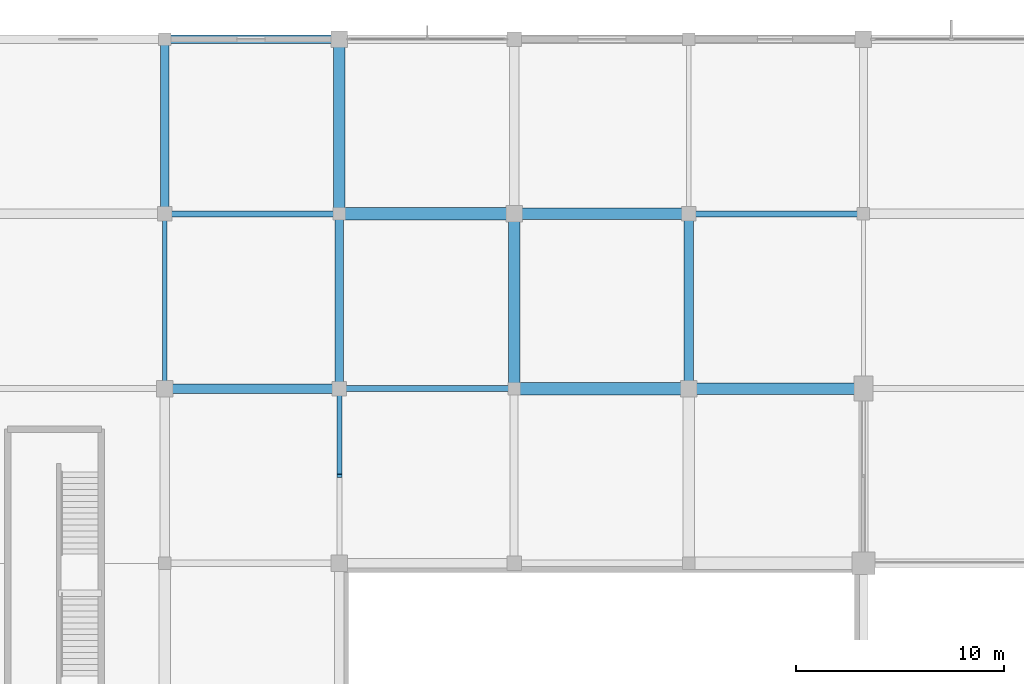
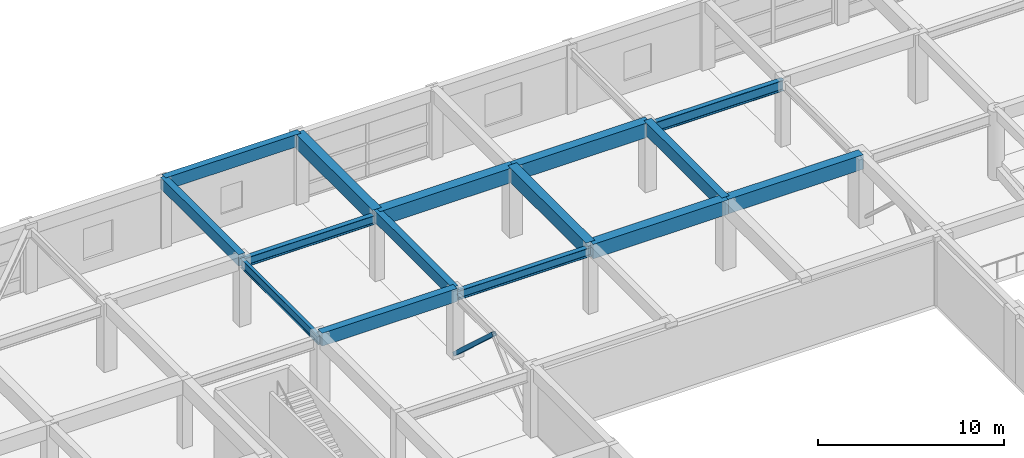
# One storey, part 28 of 62: 15 beams, 1 member.
"""IFC4 building model written with IfcOpenShell, lengths in metres."""

import ifcopenshell
import ifcopenshell.guid

model = None  # the IFC model being written
_history = None  # IfcOwnerHistory: only IFC2X3 demands one
_inside = {}  # id of a spatial element -> (the spatial element, [elements in it])
_under = {}  # id of a project, library or spatial element -> (it, [spatial elements below it])
_declared = {}  # id of a project -> (the project, [libraries it declares])
_typed = {}  # id of a type object -> (the type object, [elements of that type])
_made_of = {}  # id of a material, layer set ... -> (it, [elements and type objects made of it])


def new_model(schema):
    """Start an empty IFC model of exactly this schema.

    Asked for "IFC4X3", IfcOpenShell would pick the latest addendum, in which some entities
    have other attributes; the version numbers below select the first issue.
    IFC2X3 requires an IfcOwnerHistory on every rooted entity: one is made here for all.
    """
    global model, _history
    if schema == "IFC4X3":
        model = ifcopenshell.file(schema_version=(4, 3, 0, 0))
    else:
        model = ifcopenshell.file(schema=schema)
    _inside.clear()
    _under.clear()
    _declared.clear()
    _typed.clear()
    _made_of.clear()
    _history = None
    if model.schema == "IFC2X3":
        org = make("IfcOrganization", Name="unknown")
        user = make(
            "IfcPersonAndOrganization",
            ThePerson=make("IfcPerson", FamilyName="unknown"),
            TheOrganization=org,
        )
        app = make(
            "IfcApplication",
            ApplicationDeveloper=org,
            Version="unknown",
            ApplicationFullName="unknown",
            ApplicationIdentifier="unknown",
        )
        _history = make(
            "IfcOwnerHistory",
            OwningUser=user,
            OwningApplication=app,
            ChangeAction="ADDED",
            CreationDate=0,
        )
    return model


def make(cls, **values):
    """One entity of the class cls with the attributes given. An attribute that is None is left unset."""
    return model.create_entity(
        cls, **{name: value for name, value in values.items() if value is not None}
    )


def rooted(cls, **values):
    """An entity with a GlobalId (a new one), such as an element, a storey or a relation."""
    return make(cls, GlobalId=ifcopenshell.guid.new(), OwnerHistory=_history, **values)


def si_unit(unit_type, name, prefix=None):
    """IfcSIUnit, for example si_unit("LENGTHUNIT", "METRE", prefix="MILLI")."""
    return make("IfcSIUnit", UnitType=unit_type, Prefix=prefix, Name=name)


def assignment(units):
    """IfcUnitAssignment: the units of a project."""
    return None if units is None else make("IfcUnitAssignment", Units=units)


def point(xyz):
    """IfcCartesianPoint."""
    return None if xyz is None else make("IfcCartesianPoint", Coordinates=xyz)


def direction(xyz):
    """IfcDirection."""
    return None if xyz is None else make("IfcDirection", DirectionRatios=xyz)


def frame(location, z_axis=None, x_axis=None):
    """IfcAxis2Placement3D, a coordinate frame: its origin and axes. An axis left out is left unset."""
    return make(
        "IfcAxis2Placement3D",
        Location=point(location),
        Axis=direction(z_axis),
        RefDirection=direction(x_axis),
    )


def frame_2d(location, x_axis=None):
    """IfcAxis2Placement2D, a coordinate frame in the plane: its origin and x axis."""
    return make(
        "IfcAxis2Placement2D", Location=point(location), RefDirection=direction(x_axis)
    )


def origin():
    """The frame at (0, 0, 0) with its axes left unset."""
    return frame((0.0, 0.0, 0.0))


def origin_2d():
    """The frame at (0, 0) in the plane with its x axis left unset."""
    return frame_2d((0.0, 0.0))


def place(relative_to, where):
    """IfcLocalPlacement: puts the frame where relative to a parent placement (None: the world)."""
    return make(
        "IfcLocalPlacement", PlacementRelTo=relative_to, RelativePlacement=where
    )


def context(
    kind, dimensions, precision=None, world=None, true_north=None, identifier=None
):
    """IfcGeometricRepresentationContext, for example the 3D "Model" context."""
    return make(
        "IfcGeometricRepresentationContext",
        ContextIdentifier=identifier,
        ContextType=kind,
        CoordinateSpaceDimension=dimensions,
        Precision=precision,
        WorldCoordinateSystem=world,
        TrueNorth=true_north,
    )


def subcontext(parent, identifier, kind, view, scale=None):
    """IfcGeometricRepresentationSubContext, for example "Body" below "Model"."""
    return make(
        "IfcGeometricRepresentationSubContext",
        ContextIdentifier=identifier,
        ContextType=kind,
        ParentContext=parent,
        TargetScale=scale,
        TargetView=view,
    )


def project(units=None, contexts=None):
    """IfcProject with its units and contexts."""
    return rooted(
        "IfcProject",
        Name="project",
        RepresentationContexts=contexts,
        UnitsInContext=assignment(units),
    )


def spatial(cls, under=None, at=None, **own):
    """A site, building, storey or space (cls), placed at a placement, below another one or the project."""
    s = rooted(cls, ObjectPlacement=at, **own)
    if under is not None:
        _under.setdefault(under.id(), (under, []))[1].append(s)
    return s


def profile(cls, at=None, kind="AREA", **sizes):
    """A parametric profile (cls). Its sizes go by their IFC names, for example OverallWidth=200.0."""
    return make(cls, ProfileType=kind, Position=at, **sizes)


def rectangle(**sizes):
    """IfcRectangleProfileDef."""
    return profile("IfcRectangleProfileDef", **sizes)


def hollow_rectangle(**sizes):
    """IfcRectangleHollowProfileDef."""
    return profile("IfcRectangleHollowProfileDef", **sizes)


def i_section(**sizes):
    """IfcIShapeProfileDef."""
    return profile("IfcIShapeProfileDef", **sizes)


def extrude(swept, where, along, depth):
    """IfcExtrudedAreaSolid: the profile swept, set in the frame where, extruded along a direction by depth."""
    return make(
        "IfcExtrudedAreaSolid",
        SweptArea=swept,
        Position=where,
        ExtrudedDirection=direction(along),
        Depth=depth,
    )


def shape(context_of_items, identifier, shape_type, items):
    """IfcShapeRepresentation: the items that make up one representation, for example the "Body"."""
    return make(
        "IfcShapeRepresentation",
        ContextOfItems=context_of_items,
        RepresentationIdentifier=identifier,
        RepresentationType=shape_type,
        Items=items,
    )


def material(Name=None, Category=None):
    """IfcMaterial."""
    return make("IfcMaterial", Name=Name, Category=Category)


def material_profile(
    of_material, cross_section, Name=None, Category=None, Priority=None
):
    """IfcMaterialProfile: a cross section and its material."""
    return make(
        "IfcMaterialProfile",
        Name=Name,
        Material=of_material,
        Profile=cross_section,
        Priority=Priority,
        Category=Category,
    )


def profile_set(profiles, Name=None, composite=None):
    """IfcMaterialProfileSet."""
    return make(
        "IfcMaterialProfileSet",
        Name=Name,
        MaterialProfiles=profiles,
        CompositeProfile=composite,
    )


def made_of(thing, what):
    """Note that an element or type object is made of a material, layer set ...; save() writes the relation."""
    if what is not None:
        _made_of.setdefault(what.id(), (what, []))[1].append(thing)
    return thing


def type_object(cls, material=None, **own):
    """A type object (cls), such as IfcWallType, which elements share."""
    return made_of(rooted(cls, **own), material)


def element(
    cls,
    number,
    at=None,
    inside=None,
    cuts=None,
    type_object=None,
    material=None,
    context=None,
    identifier="Body",
    shape_type=None,
    held_by="IfcProductDefinitionShape",
    body=None,
    shapes=None,
    **own,
):
    """One element of the class cls, such as IfcWall. Its Tag is "e" and its number.

    at: its placement. inside: the storey or other place that contains it. cuts: it is an
    opening in that element (IfcRelVoidsElement). A single representation is given by context,
    identifier, shape_type and body (its items); several are given by shapes. held_by: the class
    of the entity that holds the representations. save() writes the other relations.
    """
    e = rooted(cls, Tag="e%d" % number, ObjectPlacement=at, **own)
    if body is not None:
        shapes = [shape(context, identifier, shape_type, body)]
    if shapes is not None:
        e.Representation = make(held_by, Representations=shapes)
    if inside is not None:
        _inside.setdefault(inside.id(), (inside, []))[1].append(e)
    if cuts is not None:
        rooted(
            "IfcRelVoidsElement", RelatingBuildingElement=cuts, RelatedOpeningElement=e
        )
    if type_object is not None:
        _typed.setdefault(type_object.id(), (type_object, []))[1].append(e)
    return made_of(e, material)


def aggregate(whole, parts):
    """IfcRelAggregates: a whole, such as a stair, and the parts it consists of."""
    return rooted("IfcRelAggregates", RelatingObject=whole, RelatedObjects=parts)


def save(model, path):
    """Write the relations noted so far, then the file.

    IfcRelAggregates (storeys below a building ...), IfcRelContainedInSpatialStructure (elements
    in a storey), IfcRelDefinesByType, IfcRelAssociatesMaterial and IfcRelDeclares: one each for
    every whole, place, type object, material and project.
    """
    for whole, parts in _under.values():
        aggregate(whole, parts)
    for where, things in _inside.values():
        rooted(
            "IfcRelContainedInSpatialStructure",
            RelatedElements=things,
            RelatingStructure=where,
        )
    for kind, things in _typed.values():
        rooted("IfcRelDefinesByType", RelatedObjects=things, RelatingType=kind)
    for what, things in _made_of.values():
        rooted("IfcRelAssociatesMaterial", RelatedObjects=things, RelatingMaterial=what)
    for by, libraries in _declared.values():
        rooted("IfcRelDeclares", RelatingContext=by, RelatedDefinitions=libraries)
    model.write(path)


model = new_model("IFC4")

# Units and contexts
model_context = context("Model", 3, precision=1e-05, world=origin(), true_north=direction((0.0, 1.0)))
body_context = subcontext(model_context, "Body", "Model", "MODEL_VIEW")
ifc_project = project(units=[si_unit("LENGTHUNIT", "METRE"), si_unit("AREAUNIT", "SQUARE_METRE"), si_unit("VOLUMEUNIT", "CUBIC_METRE"), si_unit("PLANEANGLEUNIT", "RADIAN"), si_unit("MASSUNIT", "GRAM", prefix="KILO")], contexts=[model_context])

# Site, building, storey
site_placement = place(None, origin())
site = spatial("IfcSite", under=ifc_project, at=site_placement, CompositionType="ELEMENT")
building_placement = place(site_placement, origin())
building = spatial("IfcBuilding", under=site, at=building_placement, Name="Xuanlan Plaza Opera House", CompositionType="ELEMENT")
storey_placement = place(building_placement, frame((0.0, 0.0, 14.39990234375)))
storey = spatial("IfcBuildingStorey", under=building, at=storey_placement, Name="L03", CompositionType="ELEMENT", Elevation=14.39990234375)

# Beams
ifc_material_1 = material(Name="Concrete C50", Category="concrete")
ifc_material_profile_1 = material_profile(ifc_material_1, rectangle(XDim=0.60009765625, YDim=0.949951171875, at=origin_2d()), Name="RC-BM 600x950")
ifc_profile_set_1 = profile_set([ifc_material_profile_1], Name="Concrete C50")
beam_type_1 = type_object("IfcBeamType", Name="STR-BM-B-01", PredefinedType="BEAM", material=ifc_profile_set_1)
beam_1_placement = place(storey_placement, frame((50.39990234375, 84.0, 4.025146484375), z_axis=(1.0, 0.0, 0.0), x_axis=(0.0, 1.0, 0.0)))
element("IfcBeam", 1, at=beam_1_placement, inside=storey, type_object=beam_type_1, Name="Grid Beam X L03 7-8/K", PredefinedType="BEAM", context=body_context, shape_type="SweptSolid", body=[
    extrude(rectangle(XDim=0.60009765625, YDim=0.949951171875, at=origin_2d()), origin(), (0.0, 0.0, 1.0), 8.400146484375),
])
beam_2_placement = place(storey_placement, frame((42.0, 92.39990234375, 4.025146484375), z_axis=(1.0, 0.0, 0.0), x_axis=(0.0, 1.0, 0.0)))
element("IfcBeam", 2, at=beam_2_placement, inside=storey, type_object=beam_type_1, Name="Grid Beam X L03 6-7/L", PredefinedType="BEAM", context=body_context, shape_type="SweptSolid", body=[
    extrude(rectangle(XDim=0.60009765625, YDim=0.949951171875, at=origin_2d()), origin(), (0.0, 0.0, 1.0), 8.39990234375),
])
ifc_material_profile_2 = material_profile(ifc_material_1, rectangle(XDim=0.550048828125, YDim=0.949951171875, at=origin_2d()), Name="RC-BM 550x950")
ifc_profile_set_2 = profile_set([ifc_material_profile_2], Name="Concrete C50")
beam_type_2 = type_object("IfcBeamType", Name="STR-BM-B-02", PredefinedType="BEAM", material=ifc_profile_set_2)
beam_3_placement = place(storey_placement, frame((58.800048828125, 84.0, 4.025146484375), z_axis=(1.0, 0.0, 0.0), x_axis=(0.0, 1.0, 0.0)))
element("IfcBeam", 3, at=beam_3_placement, inside=storey, type_object=beam_type_2, Name="Grid Beam X L03 8-9/K", PredefinedType="BEAM", context=body_context, shape_type="SweptSolid", body=[
    extrude(rectangle(XDim=0.550048828125, YDim=0.949951171875, at=origin_2d()), origin(), (0.0, 0.0, 1.0), 8.39990234375),
])
for number, where, z_axis, x_axis, name in (
    (4, (50.39990234375, 92.39990234375, 4.025146484375), (1.0, 0.0, 0.0), (0.0, 1.0, 0.0), "Grid Beam X L03 7-8/L"),
    (5, (42.0, 92.39990234375, 4.025146484375), (0.0, 1.0, 0.0), (-1.0, 0.0, 0.0), "Grid Beam Y L03 6/L-M"),
):
    element("IfcBeam", number, at=place(storey_placement, frame(where, z_axis=z_axis, x_axis=x_axis)), inside=storey, type_object=beam_type_2, Name=name, PredefinedType="BEAM", context=body_context, shape_type="SweptSolid", body=[
        extrude(rectangle(XDim=0.550048828125, YDim=0.949951171875, at=origin_2d()), origin(), (0.0, 0.0, 1.0), 8.400146484375),
    ])
beam_4_placement = place(storey_placement, frame((50.39990234375, 84.0, 4.025146484375), z_axis=(0.0, 1.0, 0.0), x_axis=(-1.0, 0.0, 0.0)))
element("IfcBeam", 6, at=beam_4_placement, inside=storey, type_object=beam_type_2, Name="Grid Beam Y L03 7/K-L", PredefinedType="BEAM", context=body_context, shape_type="SweptSolid", body=[
    extrude(rectangle(XDim=0.550048828125, YDim=0.949951171875, at=origin_2d()), origin(), (0.0, 0.0, 1.0), 8.39990234375),
])
ifc_material_2 = material(Name="Concrete C40", Category="concrete")
ifc_material_profile_3 = material_profile(ifc_material_2, rectangle(XDim=0.449951171875, YDim=0.85009765625, at=origin_2d()), Name="RC-BM 450x850")
ifc_profile_set_3 = profile_set([ifc_material_profile_3], Name="Concrete C40")
beam_type_3 = type_object("IfcBeamType", Name="STR-BM-B-04", PredefinedType="BEAM", material=ifc_profile_set_3)
for number, where, z_axis, x_axis, name in (
    (7, (33.60009765625, 84.0, 4.0751953125), (1.0, 0.0, 0.0), (0.0, 1.0, 0.0), "Grid Beam X L03 5-6/K"),
    (8, (58.800048828125, 84.0, 4.0751953125), (0.0, 1.0, 0.0), (-1.0, 0.0, 0.0), "Grid Beam Y L03 8/K-L"),
):
    element("IfcBeam", number, at=place(storey_placement, frame(where, z_axis=z_axis, x_axis=x_axis)), inside=storey, type_object=beam_type_3, Name=name, PredefinedType="BEAM", context=body_context, shape_type="SweptSolid", body=[
        extrude(rectangle(XDim=0.449951171875, YDim=0.85009765625, at=origin_2d()), origin(), (0.0, 0.0, 1.0), 8.39990234375),
    ])
ifc_material_profile_4 = material_profile(ifc_material_2, rectangle(XDim=0.39990234375, YDim=0.75, at=origin_2d()), Name="RC-BM 400x750")
ifc_profile_set_4 = profile_set([ifc_material_profile_4], Name="Concrete C40")
beam_type_4 = type_object("IfcBeamType", Name="STR-BM-B-06", PredefinedType="BEAM", material=ifc_profile_set_4)
beam_5_placement = place(storey_placement, frame((33.60009765625, 92.39990234375, 4.125), z_axis=(0.0, 1.0, 0.0), x_axis=(-1.0, 0.0, 0.0)))
element("IfcBeam", 9, at=beam_5_placement, inside=storey, type_object=beam_type_4, Name="Grid Beam Y L03 5/L-M", PredefinedType="BEAM", context=body_context, shape_type="SweptSolid", body=[
    extrude(rectangle(XDim=0.39990234375, YDim=0.75, at=origin_2d()), origin(), (0.0, 0.0, 1.0), 8.400146484375),
])
beam_6_placement = place(storey_placement, frame((42.0, 84.0, 4.125), z_axis=(0.0, 1.0, 0.0), x_axis=(-1.0, 0.0, 0.0)))
element("IfcBeam", 10, at=beam_6_placement, inside=storey, type_object=beam_type_4, Name="Grid Beam Y L03 6/K-L", PredefinedType="BEAM", context=body_context, shape_type="SweptSolid", body=[
    extrude(rectangle(XDim=0.39990234375, YDim=0.75, at=origin_2d()), origin(), (0.0, 0.0, 1.0), 8.39990234375),
])
ifc_material_3 = material(Name="Steel Q355B", Category="steel")
ifc_material_profile_5 = material_profile(ifc_material_3, i_section(OverallWidth=0.300048828125, OverallDepth=0.699951171875, WebThickness=0.012939453125, FlangeThickness=0.02392578125, FilletRadius=0.02392578125, at=origin_2d()), Name="HN 700x300x13x24")
ifc_profile_set_5 = profile_set([ifc_material_profile_5], Name="Steel Q355B")
beam_type_5 = type_object("IfcBeamType", Name="STR-BM-SB-03", PredefinedType="BEAM", material=ifc_profile_set_5)
beam_7_placement = place(storey_placement, frame((58.800048828125, 92.39990234375, 3.885009765625), z_axis=(1.0, 0.0, 0.0), x_axis=(0.0, 1.0, 0.0)))
element("IfcBeam", 11, at=beam_7_placement, inside=storey, type_object=beam_type_5, Name="Grid Beam X L03 8-9/L", PredefinedType="BEAM", context=body_context, shape_type="SweptSolid", body=[
    extrude(i_section(OverallWidth=0.300048828125, OverallDepth=0.699951171875, WebThickness=0.012939453125, FlangeThickness=0.02392578125, FilletRadius=0.02392578125, at=origin_2d()), origin(), (0.0, 0.0, 1.0), 8.39990234375),
])
ifc_material_profile_6 = material_profile(ifc_material_3, i_section(OverallWidth=0.199951171875, OverallDepth=0.60009765625, WebThickness=0.010986328125, FlangeThickness=0.01708984375, FilletRadius=0.02197265625, at=origin_2d()), Name="HN 600x200x11x17")
ifc_profile_set_6 = profile_set([ifc_material_profile_6], Name="Steel Q355B")
beam_type_6 = type_object("IfcBeamType", Name="STR-BM-SB-04", PredefinedType="BEAM", material=ifc_profile_set_6)
beam_8_placement = place(storey_placement, frame((33.60009765625, 84.0, 3.93505859375), z_axis=(0.0, 1.0, 0.0), x_axis=(-1.0, 0.0, 0.0)))
element("IfcBeam", 12, at=beam_8_placement, inside=storey, type_object=beam_type_6, Name="Grid Beam Y L03 5/K-L", PredefinedType="BEAM", context=body_context, shape_type="SweptSolid", body=[
    extrude(i_section(OverallWidth=0.199951171875, OverallDepth=0.60009765625, WebThickness=0.010986328125, FlangeThickness=0.01708984375, FilletRadius=0.02197265625, at=origin_2d()), origin(), (0.0, 0.0, 1.0), 8.39990234375),
])
ifc_material_profile_7 = material_profile(ifc_material_3, i_section(OverallWidth=0.300048828125, OverallDepth=0.587890625, WebThickness=0.011962890625, FlangeThickness=0.02001953125, FilletRadius=0.02392578125, at=origin_2d()), Name="HM 588x300x12x20")
ifc_profile_set_7 = profile_set([ifc_material_profile_7], Name="Steel Q355B")
beam_type_7 = type_object("IfcBeamType", Name="STR-BM-SB-06", PredefinedType="BEAM", material=ifc_profile_set_7)
for number, where, z_axis, x_axis, name in (
    (13, (42.0, 84.0, 3.941162109375), (1.0, 0.0, 0.0), (0.0, 1.0, 0.0), "Grid Beam X L03 6-7/K"),
    (14, (33.60009765625, 92.39990234375, 3.941162109375), (1.0, 0.0, 0.0), (0.0, 1.0, 0.0), "Grid Beam X L03 5-6/L"),
):
    element("IfcBeam", number, at=place(storey_placement, frame(where, z_axis=z_axis, x_axis=x_axis)), inside=storey, type_object=beam_type_7, Name=name, PredefinedType="BEAM", context=body_context, shape_type="SweptSolid", body=[
        extrude(i_section(OverallWidth=0.300048828125, OverallDepth=0.587890625, WebThickness=0.011962890625, FlangeThickness=0.02001953125, FilletRadius=0.02392578125, at=origin_2d()), origin(), (0.0, 0.0, 1.0), 8.39990234375),
    ])
ifc_material_profile_8 = material_profile(ifc_material_2, rectangle(XDim=0.39990234375, YDim=0.800048828125, at=origin_2d()), Name="RC-SPD 400x800")
ifc_profile_set_8 = profile_set([ifc_material_profile_8], Name="Concrete C40")
beam_type_8 = type_object("IfcBeamType", Name="STR-BM-SP-01", PredefinedType="SPANDREL", material=ifc_profile_set_8)
beam_9_placement = place(storey_placement, frame((33.60009765625, 100.800048828125, 4.10009765625), z_axis=(1.0, 0.0, 0.0), x_axis=(0.0, 1.0, 0.0)))
element("IfcBeam", 15, at=beam_9_placement, inside=storey, type_object=beam_type_8, Name="Grid Beam X L03 5-6/M", PredefinedType="SPANDREL", context=body_context, shape_type="SweptSolid", body=[
    extrude(rectangle(XDim=0.39990234375, YDim=0.800048828125, at=origin_2d()), origin(), (0.0, 0.0, 1.0), 8.39990234375),
])

# Member
ifc_material_profile_9 = material_profile(ifc_material_3, hollow_rectangle(XDim=0.25, YDim=0.25, WallThickness=0.011962890625, at=origin_2d()), Name="SHS 250x250x12")
ifc_profile_set_9 = profile_set([ifc_material_profile_9], Name="Steel Q355B")
member_type = type_object("IfcMemberType", Name="STR-MEM-BR-06", PredefinedType="BRACE", material=ifc_profile_set_9)
member_placement = place(storey_placement, frame((42.0, 84.0, 0.10009765625), z_axis=(0.0, -0.737141689437, 0.675738210918), x_axis=(1.0, 0.0, 0.0)))
element("IfcMember", 16, at=member_placement, inside=storey, type_object=member_type, Name="Stage Lateral Chevron Brace L03-1B", PredefinedType="BRACE", context=body_context, shape_type="SweptSolid", body=[
    extrude(hollow_rectangle(XDim=0.25, YDim=0.25, WallThickness=0.011962890625, at=origin_2d()), origin(), (0.0, 0.0, 1.0), 5.697509765625),
])

save(model, "model.ifc")
